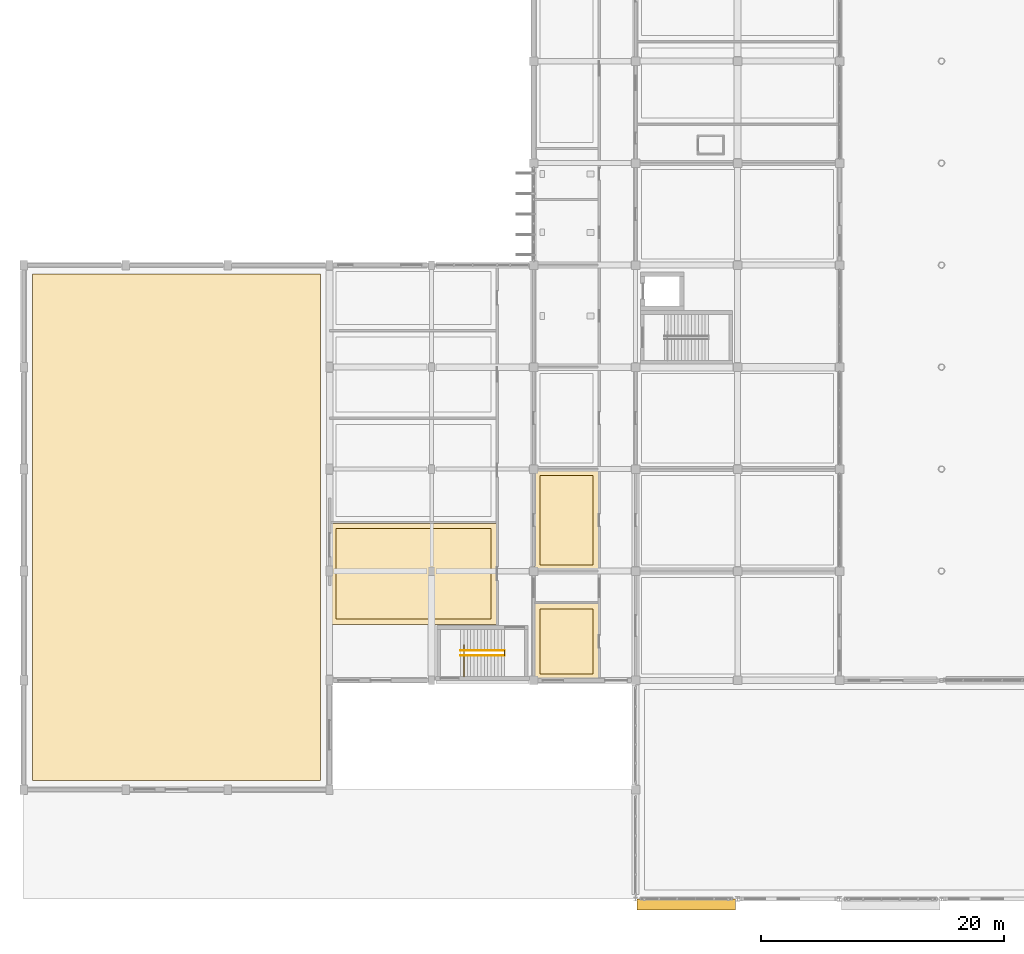
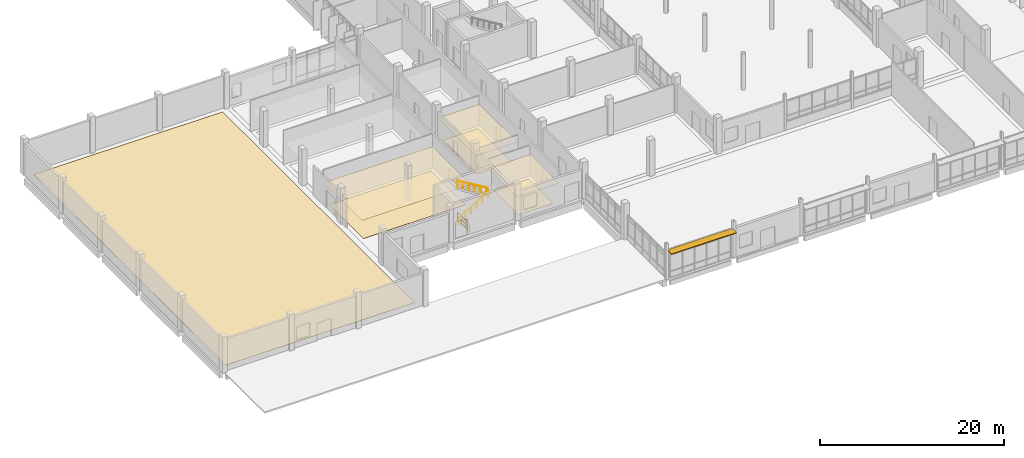
# One storey, part 88 of 95: 7 coverings, 4 railings, 1 shading device.
"""IFC4 building model written with IfcOpenShell, lengths in metres."""

import ifcopenshell
import ifcopenshell.guid

model = None  # the IFC model being written
_history = None  # IfcOwnerHistory: only IFC2X3 demands one
_inside = {}  # id of a spatial element -> (the spatial element, [elements in it])
_under = {}  # id of a project, library or spatial element -> (it, [spatial elements below it])
_declared = {}  # id of a project -> (the project, [libraries it declares])
_typed = {}  # id of a type object -> (the type object, [elements of that type])
_made_of = {}  # id of a material, layer set ... -> (it, [elements and type objects made of it])


def new_model(schema):
    """Start an empty IFC model of exactly this schema.

    Asked for "IFC4X3", IfcOpenShell would pick the latest addendum, in which some entities
    have other attributes; the version numbers below select the first issue.
    IFC2X3 requires an IfcOwnerHistory on every rooted entity: one is made here for all.
    """
    global model, _history
    if schema == "IFC4X3":
        model = ifcopenshell.file(schema_version=(4, 3, 0, 0))
    else:
        model = ifcopenshell.file(schema=schema)
    _inside.clear()
    _under.clear()
    _declared.clear()
    _typed.clear()
    _made_of.clear()
    _history = None
    if model.schema == "IFC2X3":
        org = make("IfcOrganization", Name="unknown")
        user = make(
            "IfcPersonAndOrganization",
            ThePerson=make("IfcPerson", FamilyName="unknown"),
            TheOrganization=org,
        )
        app = make(
            "IfcApplication",
            ApplicationDeveloper=org,
            Version="unknown",
            ApplicationFullName="unknown",
            ApplicationIdentifier="unknown",
        )
        _history = make(
            "IfcOwnerHistory",
            OwningUser=user,
            OwningApplication=app,
            ChangeAction="ADDED",
            CreationDate=0,
        )
    return model


def make(cls, **values):
    """One entity of the class cls with the attributes given. An attribute that is None is left unset."""
    return model.create_entity(
        cls, **{name: value for name, value in values.items() if value is not None}
    )


def rooted(cls, **values):
    """An entity with a GlobalId (a new one), such as an element, a storey or a relation."""
    return make(cls, GlobalId=ifcopenshell.guid.new(), OwnerHistory=_history, **values)


def si_unit(unit_type, name, prefix=None):
    """IfcSIUnit, for example si_unit("LENGTHUNIT", "METRE", prefix="MILLI")."""
    return make("IfcSIUnit", UnitType=unit_type, Prefix=prefix, Name=name)


def assignment(units):
    """IfcUnitAssignment: the units of a project."""
    return None if units is None else make("IfcUnitAssignment", Units=units)


def point(xyz):
    """IfcCartesianPoint."""
    return None if xyz is None else make("IfcCartesianPoint", Coordinates=xyz)


def direction(xyz):
    """IfcDirection."""
    return None if xyz is None else make("IfcDirection", DirectionRatios=xyz)


def frame(location, z_axis=None, x_axis=None):
    """IfcAxis2Placement3D, a coordinate frame: its origin and axes. An axis left out is left unset."""
    return make(
        "IfcAxis2Placement3D",
        Location=point(location),
        Axis=direction(z_axis),
        RefDirection=direction(x_axis),
    )


def frame_2d(location, x_axis=None):
    """IfcAxis2Placement2D, a coordinate frame in the plane: its origin and x axis."""
    return make(
        "IfcAxis2Placement2D", Location=point(location), RefDirection=direction(x_axis)
    )


def origin():
    """The frame at (0, 0, 0) with its axes left unset."""
    return frame((0.0, 0.0, 0.0))


def origin_2d():
    """The frame at (0, 0) in the plane with its x axis left unset."""
    return frame_2d((0.0, 0.0))


def place(relative_to, where):
    """IfcLocalPlacement: puts the frame where relative to a parent placement (None: the world)."""
    return make(
        "IfcLocalPlacement", PlacementRelTo=relative_to, RelativePlacement=where
    )


def context(
    kind, dimensions, precision=None, world=None, true_north=None, identifier=None
):
    """IfcGeometricRepresentationContext, for example the 3D "Model" context."""
    return make(
        "IfcGeometricRepresentationContext",
        ContextIdentifier=identifier,
        ContextType=kind,
        CoordinateSpaceDimension=dimensions,
        Precision=precision,
        WorldCoordinateSystem=world,
        TrueNorth=true_north,
    )


def subcontext(parent, identifier, kind, view, scale=None):
    """IfcGeometricRepresentationSubContext, for example "Body" below "Model"."""
    return make(
        "IfcGeometricRepresentationSubContext",
        ContextIdentifier=identifier,
        ContextType=kind,
        ParentContext=parent,
        TargetScale=scale,
        TargetView=view,
    )


def project(units=None, contexts=None):
    """IfcProject with its units and contexts."""
    return rooted(
        "IfcProject",
        Name="project",
        RepresentationContexts=contexts,
        UnitsInContext=assignment(units),
    )


def spatial(cls, under=None, at=None, **own):
    """A site, building, storey or space (cls), placed at a placement, below another one or the project."""
    s = rooted(cls, ObjectPlacement=at, **own)
    if under is not None:
        _under.setdefault(under.id(), (under, []))[1].append(s)
    return s


def polyline(points):
    """IfcPolyline through the points."""
    return make("IfcPolyline", Points=[point(p) for p in points])


def profile(cls, at=None, kind="AREA", **sizes):
    """A parametric profile (cls). Its sizes go by their IFC names, for example OverallWidth=200.0."""
    return make(cls, ProfileType=kind, Position=at, **sizes)


def rectangle(**sizes):
    """IfcRectangleProfileDef."""
    return profile("IfcRectangleProfileDef", **sizes)


def circle(**sizes):
    """IfcCircleProfileDef."""
    return profile("IfcCircleProfileDef", **sizes)


def outline(outer, holes=None, kind="AREA"):
    """IfcArbitraryClosedProfileDef: a profile drawn as a closed curve; with holes, ...WithVoids."""
    if holes is None:
        return make("IfcArbitraryClosedProfileDef", ProfileType=kind, OuterCurve=outer)
    return make(
        "IfcArbitraryProfileDefWithVoids",
        ProfileType=kind,
        OuterCurve=outer,
        InnerCurves=holes,
    )


def extrude(swept, where, along, depth):
    """IfcExtrudedAreaSolid: the profile swept, set in the frame where, extruded along a direction by depth."""
    return make(
        "IfcExtrudedAreaSolid",
        SweptArea=swept,
        Position=where,
        ExtrudedDirection=direction(along),
        Depth=depth,
    )


def shape(context_of_items, identifier, shape_type, items):
    """IfcShapeRepresentation: the items that make up one representation, for example the "Body"."""
    return make(
        "IfcShapeRepresentation",
        ContextOfItems=context_of_items,
        RepresentationIdentifier=identifier,
        RepresentationType=shape_type,
        Items=items,
    )


def material(Name=None, Category=None):
    """IfcMaterial."""
    return make("IfcMaterial", Name=Name, Category=Category)


def layer(
    of_material, thickness, ventilated=None, Name=None, Category=None, Priority=None
):
    """IfcMaterialLayer: one layer of a wall or slab, of a material (None: an air gap)."""
    return make(
        "IfcMaterialLayer",
        Material=of_material,
        LayerThickness=thickness,
        IsVentilated=ventilated,
        Name=Name,
        Category=Category,
        Priority=Priority,
    )


def layer_set(layers, Name=None):
    """IfcMaterialLayerSet."""
    return make("IfcMaterialLayerSet", MaterialLayers=layers, LayerSetName=Name)


def made_of(thing, what):
    """Note that an element or type object is made of a material, layer set ...; save() writes the relation."""
    if what is not None:
        _made_of.setdefault(what.id(), (what, []))[1].append(thing)
    return thing


def type_object(cls, material=None, **own):
    """A type object (cls), such as IfcWallType, which elements share."""
    return made_of(rooted(cls, **own), material)


def element(
    cls,
    number,
    at=None,
    inside=None,
    cuts=None,
    type_object=None,
    material=None,
    context=None,
    identifier="Body",
    shape_type=None,
    held_by="IfcProductDefinitionShape",
    body=None,
    shapes=None,
    **own,
):
    """One element of the class cls, such as IfcWall. Its Tag is "e" and its number.

    at: its placement. inside: the storey or other place that contains it. cuts: it is an
    opening in that element (IfcRelVoidsElement). A single representation is given by context,
    identifier, shape_type and body (its items); several are given by shapes. held_by: the class
    of the entity that holds the representations. save() writes the other relations.
    """
    e = rooted(cls, Tag="e%d" % number, ObjectPlacement=at, **own)
    if body is not None:
        shapes = [shape(context, identifier, shape_type, body)]
    if shapes is not None:
        e.Representation = make(held_by, Representations=shapes)
    if inside is not None:
        _inside.setdefault(inside.id(), (inside, []))[1].append(e)
    if cuts is not None:
        rooted(
            "IfcRelVoidsElement", RelatingBuildingElement=cuts, RelatedOpeningElement=e
        )
    if type_object is not None:
        _typed.setdefault(type_object.id(), (type_object, []))[1].append(e)
    return made_of(e, material)


def aggregate(whole, parts):
    """IfcRelAggregates: a whole, such as a stair, and the parts it consists of."""
    return rooted("IfcRelAggregates", RelatingObject=whole, RelatedObjects=parts)


def save(model, path):
    """Write the relations noted so far, then the file.

    IfcRelAggregates (storeys below a building ...), IfcRelContainedInSpatialStructure (elements
    in a storey), IfcRelDefinesByType, IfcRelAssociatesMaterial and IfcRelDeclares: one each for
    every whole, place, type object, material and project.
    """
    for whole, parts in _under.values():
        aggregate(whole, parts)
    for where, things in _inside.values():
        rooted(
            "IfcRelContainedInSpatialStructure",
            RelatedElements=things,
            RelatingStructure=where,
        )
    for kind, things in _typed.values():
        rooted("IfcRelDefinesByType", RelatedObjects=things, RelatingType=kind)
    for what, things in _made_of.values():
        rooted("IfcRelAssociatesMaterial", RelatedObjects=things, RelatingMaterial=what)
    for by, libraries in _declared.values():
        rooted("IfcRelDeclares", RelatingContext=by, RelatedDefinitions=libraries)
    model.write(path)


model = new_model("IFC4")

# Units and contexts
model_context = context("Model", 3, precision=1e-05, world=origin(), true_north=direction((0.0, 1.0)))
body_context = subcontext(model_context, "Body", "Model", "MODEL_VIEW")
ifc_project = project(units=[si_unit("LENGTHUNIT", "METRE"), si_unit("AREAUNIT", "SQUARE_METRE"), si_unit("VOLUMEUNIT", "CUBIC_METRE"), si_unit("PLANEANGLEUNIT", "RADIAN"), si_unit("MASSUNIT", "GRAM", prefix="KILO")], contexts=[model_context])

# Site, building, storey
site_placement = place(None, origin())
site = spatial("IfcSite", under=ifc_project, at=site_placement, CompositionType="ELEMENT")
building_placement = place(site_placement, origin())
building = spatial("IfcBuilding", under=site, at=building_placement, Name="Vireocrest Preparatory School", CompositionType="ELEMENT")
storey_placement = place(building_placement, origin())
storey = spatial("IfcBuildingStorey", under=building, at=storey_placement, Name="L00", CompositionType="ELEMENT", Elevation=0.0)

# Coverings
ifc_material_1 = material(Name="Mineral fibre acoustic ceiling tile")
ifc_layer_1 = layer(ifc_material_1, 0.02490234375)
ifc_layer_set_1 = layer_set([ifc_layer_1], Name="Mineral fibre acoustic ceiling tile")
covering_type_1 = type_object("IfcCoveringType", Name="Acoustic Mineral-Fibre Suspended Ceiling", PredefinedType="CEILING", material=ifc_layer_set_1)
covering_1_placement = place(storey_placement, frame((0.0, 0.0, 2.800048828125)))
element("IfcCovering", 1, at=covering_1_placement, inside=storey, type_object=covering_type_1, Name="Suspended Acoustic Ceiling L00-SP01", PredefinedType="CEILING", context=body_context, shape_type="SweptSolid", body=[
    extrude(outline(polyline([(25.27001953125, 22.6201171875), (38.929931640625, 22.6201171875), (38.929931640625, 30.929931640625), (25.27001953125, 30.929931640625), (25.27001953125, 22.6201171875)])), origin(), (0.0, 0.0, 1.0), 0.02490234375),
])
covering_2_placement = place(storey_placement, frame((0.0, 0.0, 2.800048828125)))
element("IfcCovering", 2, at=covering_2_placement, inside=storey, type_object=covering_type_1, Name="Suspended Acoustic Ceiling L00-WAW01", PredefinedType="CEILING", context=body_context, shape_type="SweptSolid", body=[
    extrude(outline(polyline([(42.070068359375, 18.070068359375), (47.330078125, 18.070068359375), (47.330078125, 24.330078125), (42.070068359375, 24.330078125), (42.070068359375, 18.070068359375)])), origin(), (0.0, 0.0, 1.0), 0.02490234375),
])
covering_3_placement = place(storey_placement, frame((0.0, 0.0, 2.800048828125)))
element("IfcCovering", 3, at=covering_3_placement, inside=storey, type_object=covering_type_1, Name="Suspended Acoustic Ceiling L00-WAW03", PredefinedType="CEILING", context=body_context, shape_type="SweptSolid", body=[
    extrude(outline(polyline([(42.070068359375, 27.070068359375), (47.330078125, 27.070068359375), (47.330078125, 35.330078125), (42.070068359375, 35.330078125), (42.070068359375, 27.070068359375)])), origin(), (0.0, 0.0, 1.0), 0.02490234375),
])

# Shading device
ifc_material_2 = material(Name="Warm anodised aluminium EN AW-6063-T6", Category="aluminium")
shading_device_type = type_object("IfcShadingDeviceType", Name="Horizontal Storefront Sunshade Canopy Louvres 900", PredefinedType="JALOUSIE", material=ifc_material_2)
shading_device_placement = place(storey_placement, frame((54.583984375, -0.449951171875, 3.697021484375), z_axis=(0.0, 0.0, 1.0), x_axis=(1.0, 0.0, 0.0)))
element("IfcShadingDevice", 4, at=shading_device_placement, inside=storey, type_object=shading_device_type, Name="Storefront Sunshade SS1-013", PredefinedType="JALOUSIE", context=body_context, shape_type="SweptSolid", body=[
    extrude(rectangle(XDim=8.113037109375, YDim=0.89990234375, at=origin_2d()), origin(), (0.0, 0.0, 1.0), 0.1201171875),
])

# Railings
ifc_material_3 = material(Name="Brushed stainless steel AISI 316", Category="steel")
railing_type_1 = type_object("IfcRailingType", Name="Post-and-Rail Guard Balustrade 1120", PredefinedType="BALUSTRADE", material=ifc_material_3)
railing_1_placement = place(storey_placement, frame((36.280029296875, 18.300048828125, 0.0)))
element("IfcRailing", 5, at=railing_1_placement, inside=storey, type_object=railing_type_1, Name="Arrival Landing Guard ST5-B01", PredefinedType="BALUSTRADE", context=body_context, shape_type="SweptSolid", body=[
    extrude(circle(Radius=0.02392578125, at=origin_2d()), frame((0.0, 0.0, 1.09619140625), z_axis=(0.0, 1.0, 0.0), x_axis=(-1.0, 0.0, 0.0)), (0.0, 0.0, 1.0), 2.619873046875),
    extrude(circle(Radius=0.01806640625, at=origin_2d()), frame((0.0, 0.0, 0.56005859375), z_axis=(0.0, 1.0, 0.0), x_axis=(-1.0, 0.0, 0.0)), (0.0, 0.0, 1.0), 2.619873046875),
    extrude(circle(Radius=0.01806640625, at=origin_2d()), frame((0.0, 0.0, 0.10009765625), z_axis=(0.0, 1.0, 0.0), x_axis=(-1.0, 0.0, 0.0)), (0.0, 0.0, 1.0), 2.619873046875),
    extrude(circle(Radius=0.02099609375, at=origin_2d()), origin(), (0.0, 0.0, 1.0), 1.072021484375),
    extrude(circle(Radius=0.02099609375, at=origin_2d()), frame((0.0, 0.873291015625, 0.0)), (0.0, 0.0, 1.0), 1.072021484375),
    extrude(circle(Radius=0.02099609375, at=origin_2d()), frame((0.0, 1.74658203125, 0.0)), (0.0, 0.0, 1.0), 1.072021484375),
    extrude(circle(Radius=0.02099609375, at=origin_2d()), frame((0.0, 2.619873046875, 0.0)), (0.0, 0.0, 1.0), 1.072021484375),
])
railing_2_placement = place(storey_placement, frame((39.60009765625, 20.030029296875, 2.39990234375)))
element("IfcRailing", 6, at=railing_2_placement, inside=storey, type_object=railing_type_1, Name="Half-Landing Well Guard ST5-L00", PredefinedType="BALUSTRADE", context=body_context, shape_type="SweptSolid", body=[
    extrude(circle(Radius=0.02392578125, at=origin_2d()), frame((0.0, 0.0, 1.09619140625), z_axis=(0.0, 1.0, 0.0), x_axis=(-1.0, 0.0, 0.0)), (0.0, 0.0, 1.0), 0.43994140625),
    extrude(circle(Radius=0.01806640625, at=origin_2d()), frame((0.0, 0.0, 0.56005859375), z_axis=(0.0, 1.0, 0.0), x_axis=(-1.0, 0.0, 0.0)), (0.0, 0.0, 1.0), 0.43994140625),
    extrude(circle(Radius=0.01806640625, at=origin_2d()), frame((0.0, 0.0, 0.10009765625), z_axis=(0.0, 1.0, 0.0), x_axis=(-1.0, 0.0, 0.0)), (0.0, 0.0, 1.0), 0.43994140625),
    extrude(circle(Radius=0.02099609375, at=origin_2d()), origin(), (0.0, 0.0, 1.0), 1.072021484375),
    extrude(circle(Radius=0.02099609375, at=origin_2d()), frame((0.0, 0.43994140625, 0.0)), (0.0, 0.0, 1.0), 1.072021484375),
])

# Coverings
ifc_material_4 = material(Name="Resilient acoustic linoleum flooring")
ifc_layer_2 = layer(ifc_material_4, 0.014892578125)
ifc_layer_set_2 = layer_set([ifc_layer_2], Name="Resilient acoustic linoleum flooring")
covering_type_2 = type_object("IfcCoveringType", Name="Resilient Linoleum Classroom Flooring", PredefinedType="FLOORING", material=ifc_layer_set_2)
covering_4_placement = place(storey_placement, origin())
element("IfcCovering", 7, at=covering_4_placement, inside=storey, type_object=covering_type_2, Name="Flooring FL3 L00-SP01", PredefinedType="FLOORING", context=body_context, shape_type="SweptSolid", body=[
    extrude(outline(polyline([(25.7099609375, 23.06005859375), (38.489990234375, 23.06005859375), (38.489990234375, 30.489990234375), (25.7099609375, 30.489990234375), (25.7099609375, 23.06005859375)])), origin(), (0.0, 0.0, 1.0), 0.014892578125),
])
covering_5_placement = place(storey_placement, origin())
element("IfcCovering", 8, at=covering_5_placement, inside=storey, type_object=covering_type_2, Name="Flooring FL3 L00-WAW01", PredefinedType="FLOORING", context=body_context, shape_type="SweptSolid", body=[
    extrude(outline(polyline([(42.510009765625, 18.510009765625), (46.889892578125, 18.510009765625), (46.889892578125, 23.889892578125), (42.510009765625, 23.889892578125), (42.510009765625, 18.510009765625)])), origin(), (0.0, 0.0, 1.0), 0.014892578125),
])
covering_6_placement = place(storey_placement, origin())
element("IfcCovering", 9, at=covering_6_placement, inside=storey, type_object=covering_type_2, Name="Flooring FL3 L00-WAW03", PredefinedType="FLOORING", context=body_context, shape_type="SweptSolid", body=[
    extrude(outline(polyline([(42.510009765625, 27.510009765625), (46.889892578125, 27.510009765625), (46.889892578125, 34.889892578125), (42.510009765625, 34.889892578125), (42.510009765625, 27.510009765625)])), origin(), (0.0, 0.0, 1.0), 0.014892578125),
])
ifc_material_5 = material(Name="Sprung hard maple sports flooring")
ifc_layer_3 = layer(ifc_material_5, 0.034912109375)
ifc_layer_set_3 = layer_set([ifc_layer_3], Name="Sprung hard maple sports flooring")
covering_type_3 = type_object("IfcCoveringType", Name="Sprung Hard Maple Sports Flooring", PredefinedType="FLOORING", material=ifc_layer_set_3)
covering_7_placement = place(storey_placement, origin())
element("IfcCovering", 10, at=covering_7_placement, inside=storey, type_object=covering_type_3, Name="Flooring FL2 L00-SH01", PredefinedType="FLOORING", context=body_context, shape_type="SweptSolid", body=[
    extrude(outline(polyline([(0.75, 9.75), (24.449951171875, 9.75), (24.449951171875, 51.449951171875), (0.75, 51.449951171875), (0.75, 9.75)])), origin(), (0.0, 0.0, 1.0), 0.034912109375),
])

# Railings
railing_type_2 = type_object("IfcRailingType", Name="Stair Pitch Handrail 900", PredefinedType="HANDRAIL", material=ifc_material_3)
railing_3_placement = place(storey_placement, frame((35.97998046875, 20.030029296875, 0.17138671875)))
element("IfcRailing", 11, at=railing_3_placement, inside=storey, type_object=railing_type_2, Name="Stair Handrail ST5-L00-HR1", PredefinedType="HANDRAIL", context=body_context, shape_type="SweptSolid", body=[
    extrude(circle(Radius=0.02392578125, at=origin_2d()), frame((0.0, 0.0, 0.8759765625), z_axis=(0.852865859571, 0.0, 0.52213008492), x_axis=(0.0, 1.0, 0.0)), (0.0, 0.0, 1.0), 4.26806640625),
    extrude(circle(Radius=0.02099609375, at=origin_2d()), origin(), (0.0, 0.0, 1.0), 0.851806640625),
    extrude(circle(Radius=0.02099609375, at=origin_2d()), frame((0.72802734375, 0.0, 0.44580078125)), (0.0, 0.0, 1.0), 0.851806640625),
    extrude(circle(Radius=0.02099609375, at=origin_2d()), frame((1.4560546875, 0.0, 0.891357421875)), (0.0, 0.0, 1.0), 0.851806640625),
    extrude(circle(Radius=0.02099609375, at=origin_2d()), frame((2.18408203125, 0.0, 1.337158203125)), (0.0, 0.0, 1.0), 0.851806640625),
    extrude(circle(Radius=0.02099609375, at=origin_2d()), frame((2.912109375, 0.0, 1.78271484375)), (0.0, 0.0, 1.0), 0.851806640625),
    extrude(circle(Radius=0.02099609375, at=origin_2d()), frame((3.64013671875, 0.0, 2.228515625)), (0.0, 0.0, 1.0), 0.851806640625),
])
railing_4_placement = place(storey_placement, frame((39.6201171875, 20.469970703125, 2.5712890625)))
element("IfcRailing", 12, at=railing_4_placement, inside=storey, type_object=railing_type_2, Name="Stair Handrail ST5-L00-HR2", PredefinedType="HANDRAIL", context=body_context, shape_type="SweptSolid", body=[
    extrude(circle(Radius=0.02392578125, at=origin_2d()), frame((0.0, 0.0, 0.8759765625), z_axis=(-0.852840387347, 0.0, 0.522171689878), x_axis=(0.0, -1.0, 0.0)), (0.0, 0.0, 1.0), 4.268310546875),
    extrude(circle(Radius=0.02099609375, at=origin_2d()), origin(), (0.0, 0.0, 1.0), 0.851806640625),
    extrude(circle(Radius=0.02099609375, at=origin_2d()), frame((-0.72802734375, 0.0, 0.44580078125)), (0.0, 0.0, 1.0), 0.851806640625),
    extrude(circle(Radius=0.02099609375, at=origin_2d()), frame((-1.4560546875, 0.0, 0.8916015625)), (0.0, 0.0, 1.0), 0.851806640625),
    extrude(circle(Radius=0.02099609375, at=origin_2d()), frame((-2.18408203125, 0.0, 1.337158203125)), (0.0, 0.0, 1.0), 0.851806640625),
    extrude(circle(Radius=0.02099609375, at=origin_2d()), frame((-2.912109375, 0.0, 1.782958984375)), (0.0, 0.0, 1.0), 0.851806640625),
    extrude(circle(Radius=0.02099609375, at=origin_2d()), frame((-3.64013671875, 0.0, 2.228759765625)), (0.0, 0.0, 1.0), 0.851806640625),
])

save(model, "model.ifc")
